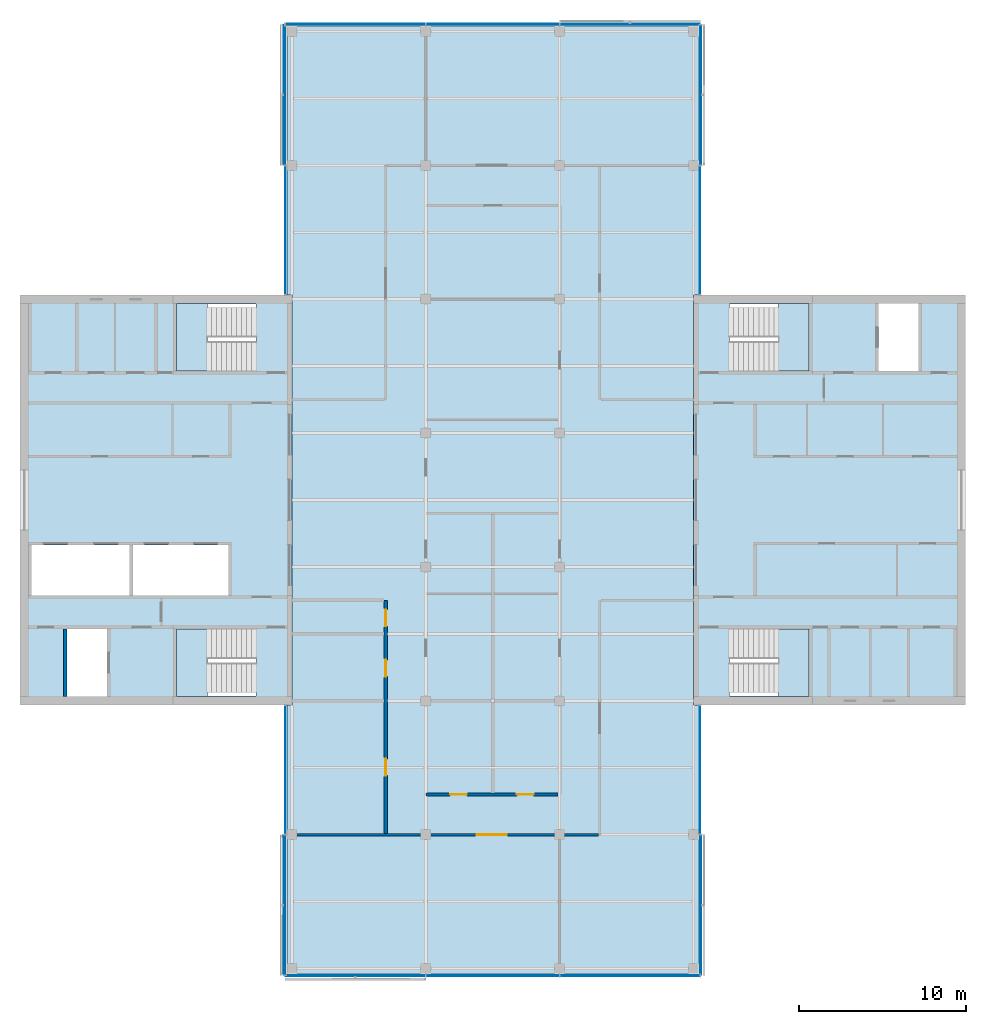
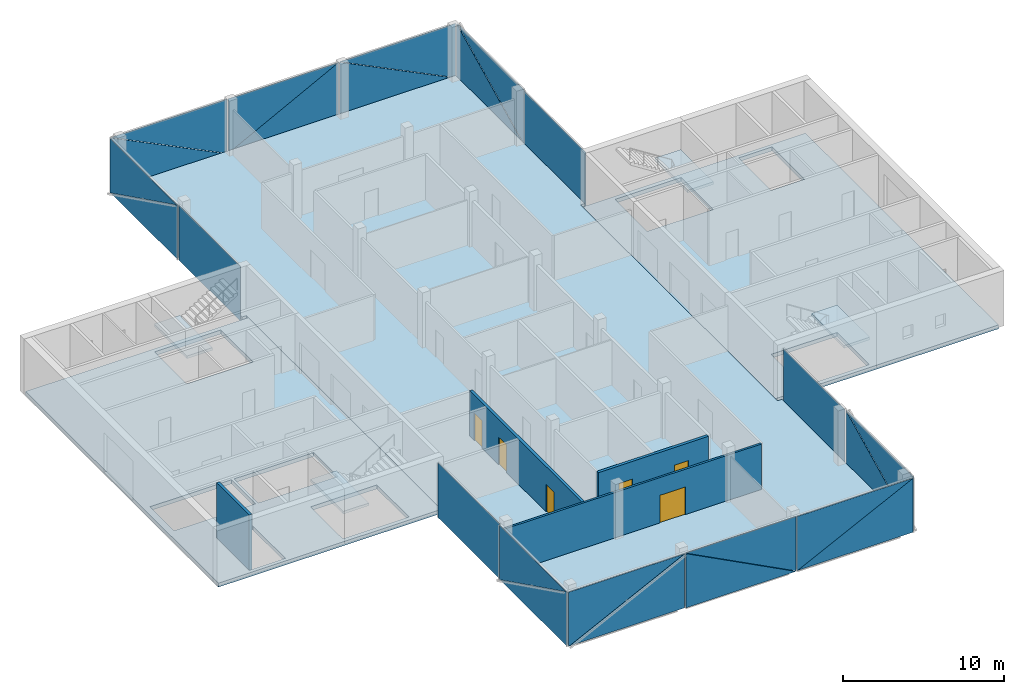
# One storey, part 8 of 15: 24 plates, 7 slabs, 6 doors, 4 walls, 6 openings, 14 elements without a shape of their own.
"""IFC4 building model written with IfcOpenShell, lengths in metres."""

from ifc_helpers import new_model, si_unit, direction, frame, frame_2d, origin, place, context, subcontext, project, spatial, polyline, rectangle, outline, extrude, material, layer, layer_set, type_object, element, fill, aggregate, save


model = new_model("IFC4")

# Units and contexts
model_context = context("Model", 3, precision=1e-05, world=origin(), true_north=direction((0.0, 1.0)))
body_context = subcontext(model_context, "Body", "Model", "MODEL_VIEW")
ifc_project = project(units=[si_unit("LENGTHUNIT", "METRE"), si_unit("AREAUNIT", "SQUARE_METRE"), si_unit("VOLUMEUNIT", "CUBIC_METRE"), si_unit("PLANEANGLEUNIT", "RADIAN"), si_unit("MASSUNIT", "GRAM", prefix="KILO")], contexts=[model_context])

# Site, building, storey
site_placement = place(None, origin())
site = spatial("IfcSite", under=ifc_project, at=site_placement, CompositionType="ELEMENT")
building_placement = place(site_placement, origin())
building = spatial("IfcBuilding", under=site, at=building_placement, Name="Crosswind Convention Tower", CompositionType="ELEMENT")
storey_placement = place(building_placement, frame((0.0, 0.0, 315.5)))
storey = spatial("IfcBuildingStorey", under=building, at=storey_placement, Name="L68", CompositionType="ELEMENT", Elevation=315.5)

# Slabs
ifc_material_1 = material(Name="Concrete C40/50", Category="concrete")
ifc_layer_1 = layer(ifc_material_1, 0.300048828125)
ifc_layer_set_1 = layer_set([ifc_layer_1], Name="Concrete C40/50")
slab_type_1 = type_object("IfcSlabType", Name="Composite floor slab 300", PredefinedType="FLOOR", material=ifc_layer_set_1)
slab_1_placement = place(storey_placement, frame((0.0, 0.0, -0.300048828125)))
element("IfcSlab", 1, at=slab_1_placement, inside=storey, type_object=slab_type_1, Name="Floor slab L68", PredefinedType="FLOOR", context=body_context, shape_type="SweptSolid", body=[
    extrude(outline(polyline([(137.300048828125, 71.699951171875), (137.0, 71.699951171875), (113.0, 71.699951171875), (112.699951171875, 71.699951171875), (112.699951171875, 72.0), (112.699951171875, 87.75), (113.0, 87.75), (113.0, 112.25), (112.699951171875, 112.25), (112.699951171875, 128.0), (112.699951171875, 128.300048828125), (113.0, 128.300048828125), (137.0, 128.300048828125), (137.300048828125, 128.300048828125), (137.300048828125, 128.0), (137.300048828125, 112.25), (137.0, 112.25), (137.0, 87.75), (137.300048828125, 87.75), (137.300048828125, 72.0), (137.300048828125, 71.699951171875)])), origin(), (0.0, 0.0, 1.0), 0.300048828125),
])
ifc_layer_2 = layer(ifc_material_1, 0.300048828125)
ifc_layer_set_2 = layer_set([ifc_layer_2], Name="Concrete C40/50")
slab_type_2 = type_object("IfcSlabType", Name="Concrete core floor slab 300", PredefinedType="FLOOR", material=ifc_layer_set_2)
slab_2_placement = place(storey_placement, frame((0.0, 0.0, -0.300048828125)))
element("IfcSlab", 2, at=slab_2_placement, inside=storey, type_object=slab_type_2, Name="Core floor slab E L68", PredefinedType="FLOOR", context=body_context, shape_type="SweptSolid", body=[
    extrude(outline(polyline([(137.0, 88.0), (153.0, 88.0), (153.0, 112.0), (137.0, 112.0), (137.0, 88.0)]), holes=[polyline([(150.449951171875, 107.699951171875), (150.449951171875, 111.75), (148.050048828125, 111.75), (148.050048828125, 107.699951171875), (150.449951171875, 107.699951171875)]), polyline([(143.89990234375, 107.699951171875), (143.89990234375, 111.699951171875), (139.14990234375, 111.699951171875), (139.14990234375, 107.699951171875), (143.89990234375, 107.699951171875)]), polyline([(143.89990234375, 88.300048828125), (143.89990234375, 92.300048828125), (139.14990234375, 92.300048828125), (139.14990234375, 88.300048828125), (143.89990234375, 88.300048828125)])]), origin(), (0.0, 0.0, 1.0), 0.300048828125),
])
slab_3_placement = place(storey_placement, frame((0.0, 0.0, -0.300048828125)))
element("IfcSlab", 3, at=slab_3_placement, inside=storey, type_object=slab_type_2, Name="Core floor slab W L68", PredefinedType="FLOOR", context=body_context, shape_type="SweptSolid", body=[
    extrude(outline(polyline([(97.0, 88.0), (113.0, 88.0), (113.0, 112.0), (97.0, 112.0), (97.0, 88.0)]), holes=[polyline([(109.199951171875, 94.300048828125), (109.199951171875, 97.300048828125), (103.5, 97.300048828125), (103.5, 94.300048828125), (109.199951171875, 94.300048828125)]), polyline([(103.300048828125, 94.300048828125), (103.300048828125, 97.300048828125), (97.449951171875, 97.300048828125), (97.449951171875, 94.300048828125), (103.300048828125, 94.300048828125)]), polyline([(101.949951171875, 88.25), (101.949951171875, 92.300048828125), (99.550048828125, 92.300048828125), (99.550048828125, 88.25), (101.949951171875, 88.25)]), polyline([(110.85009765625, 88.300048828125), (110.85009765625, 92.300048828125), (106.10009765625, 92.300048828125), (106.10009765625, 88.300048828125), (110.85009765625, 88.300048828125)]), polyline([(110.85009765625, 107.699951171875), (110.85009765625, 111.699951171875), (106.10009765625, 111.699951171875), (106.10009765625, 107.699951171875), (110.85009765625, 107.699951171875)])]), origin(), (0.0, 0.0, 1.0), 0.300048828125),
])

# Stair, slab
stair_type = type_object("IfcStairType", Name="Exit stair 1800 wide, 2 flights of 11 risers", PredefinedType="HALF_TURN_STAIR", material=ifc_material_1)
stair_1_placement = place(storey_placement, origin())
stair_1 = element("IfcStair", 4, at=stair_1_placement, inside=storey, type_object=stair_type, Name="Exit stair ST1 L68", ObjectType="ST5", PredefinedType="HALF_TURN_STAIR")
ifc_layer_3 = layer(ifc_material_1, 0.199951171875)
ifc_layer_set_3 = layer_set([ifc_layer_3], Name="Concrete C40/50")
slab_type_3 = type_object("IfcSlabType", Name="Stair landing 200", PredefinedType="LANDING", material=ifc_layer_set_3)
slab_4_placement = place(storey_placement, frame((0.0, 0.0, 1.89990234375)))
slab_4 = element("IfcSlab", 5, at=slab_4_placement, type_object=slab_type_3, Name="ST1 landing 1", PredefinedType="LANDING", context=body_context, shape_type="SweptSolid", body=[
    extrude(outline(polyline([(143.89990234375, 107.699951171875), (143.89990234375, 111.75), (142.050048828125, 111.75), (142.050048828125, 107.699951171875), (143.89990234375, 107.699951171875)])), origin(), (0.0, 0.0, 1.0), 0.2001953125),
])
aggregate(stair_1, [slab_4])

stair_2_placement = place(storey_placement, origin())
stair_2 = element("IfcStair", 6, at=stair_2_placement, inside=storey, type_object=stair_type, Name="Exit stair ST2 L68", ObjectType="ST5", PredefinedType="HALF_TURN_STAIR")
slab_5_placement = place(storey_placement, frame((0.0, 0.0, 1.89990234375)))
slab_5 = element("IfcSlab", 7, at=slab_5_placement, type_object=slab_type_3, Name="ST2 landing 1", PredefinedType="LANDING", context=body_context, shape_type="SweptSolid", body=[
    extrude(outline(polyline([(143.89990234375, 88.25), (143.89990234375, 92.300048828125), (142.050048828125, 92.300048828125), (142.050048828125, 88.25), (143.89990234375, 88.25)])), origin(), (0.0, 0.0, 1.0), 0.2001953125),
])
aggregate(stair_2, [slab_5])

stair_3_placement = place(storey_placement, origin())
stair_3 = element("IfcStair", 8, at=stair_3_placement, inside=storey, type_object=stair_type, Name="Exit stair ST3 L68", ObjectType="ST5", PredefinedType="HALF_TURN_STAIR")
slab_6_placement = place(storey_placement, frame((0.0, 0.0, 1.89990234375)))
slab_6 = element("IfcSlab", 9, at=slab_6_placement, type_object=slab_type_3, Name="ST3 landing 1", PredefinedType="LANDING", context=body_context, shape_type="SweptSolid", body=[
    extrude(outline(polyline([(107.949951171875, 88.25), (107.949951171875, 92.300048828125), (106.10009765625, 92.300048828125), (106.10009765625, 88.25), (107.949951171875, 88.25)])), origin(), (0.0, 0.0, 1.0), 0.2001953125),
])
aggregate(stair_3, [slab_6])

stair_4_placement = place(storey_placement, origin())
stair_4 = element("IfcStair", 10, at=stair_4_placement, inside=storey, type_object=stair_type, Name="Exit stair ST4 L68", ObjectType="ST5", PredefinedType="HALF_TURN_STAIR")
slab_7_placement = place(storey_placement, frame((0.0, 0.0, 1.89990234375)))
slab_7 = element("IfcSlab", 11, at=slab_7_placement, type_object=slab_type_3, Name="ST4 landing 1", PredefinedType="LANDING", context=body_context, shape_type="SweptSolid", body=[
    extrude(outline(polyline([(107.949951171875, 107.699951171875), (107.949951171875, 111.75), (106.10009765625, 111.75), (106.10009765625, 107.699951171875), (107.949951171875, 107.699951171875)])), origin(), (0.0, 0.0, 1.0), 0.2001953125),
])
aggregate(stair_4, [slab_7])

# Curtain wall, plate
ifc_material_2 = material(Name="Aluminium unitised curtain wall", Category="aluminium")
curtain_wall_type_1 = type_object("IfcCurtainWallType", Name="CORE END SLOT WALL 160", PredefinedType="USERDEFINED", material=ifc_material_2)
curtain_wall_1_placement = place(storey_placement, origin())
curtain_wall_1 = element("IfcCurtainWall", 12, at=curtain_wall_1_placement, inside=storey, type_object=curtain_wall_type_1, Name="CW6 L68 N-E.1-1 slot", ObjectType="UNITISED", PredefinedType="USERDEFINED")
ifc_material_3 = material(Name="Laminated insulating glass unit", Category="glass")
ifc_layer_4 = layer(ifc_material_3, 0.02587890625)
ifc_layer_set_4 = layer_set([ifc_layer_4], Name="TRIANGULAR GLASS PANEL 26")
plate_type_1 = type_object("IfcPlateType", Name="TRIANGULAR GLASS PANEL 26", PredefinedType="CURTAIN_PANEL", material=ifc_layer_set_4)
plate_1_placement = place(storey_placement, frame((137.40673828125, 112.300048828125, -0.300048828125), z_axis=(0.999999937709, 0.0, 0.000352961917), x_axis=(0.0, 1.0, 0.0)))
plate_1 = element("IfcPlate", 13, at=plate_1_placement, type_object=plate_type_1, Name="CW6 panel 1.1", PredefinedType="CURTAIN_PANEL", context=body_context, shape_type="SweptSolid", body=[
    extrude(outline(polyline([(0.0, 0.0), (7.64990234375, 0.0), (7.64990234375, 4.150146742892037), (0.0, 4.150146742892037), (0.0, 0.0)])), origin(), (0.0, 0.0, -1.0), 0.02587890625),
])
aggregate(curtain_wall_1, [plate_1])

curtain_wall_2_placement = place(storey_placement, origin())
curtain_wall_2 = element("IfcCurtainWall", 14, at=curtain_wall_2_placement, inside=storey, type_object=curtain_wall_type_1, Name="CW6 L68 N-W.1-2 slot", ObjectType="UNITISED", PredefinedType="USERDEFINED")
plate_2_placement = place(storey_placement, frame((112.59326171875, 119.949951171875, -0.300048828125), z_axis=(-0.999999937709, 0.0, 0.000352961917), x_axis=(0.0, -1.0, 0.0)))
plate_2 = element("IfcPlate", 15, at=plate_2_placement, type_object=plate_type_1, Name="CW6 panel 1.1", PredefinedType="CURTAIN_PANEL", context=body_context, shape_type="SweptSolid", body=[
    extrude(outline(polyline([(0.0, 0.0), (7.64990234375, 0.0), (7.64990234375, 4.150146742892037), (0.0, 4.150146742892037), (0.0, 0.0)])), origin(), (0.0, 0.0, -1.0), 0.02587890625),
])
aggregate(curtain_wall_2, [plate_2])

curtain_wall_3_placement = place(storey_placement, origin())
curtain_wall_3 = element("IfcCurtainWall", 16, at=curtain_wall_3_placement, inside=storey, type_object=curtain_wall_type_1, Name="CW6 L68 S-W.1-1 slot", ObjectType="UNITISED", PredefinedType="USERDEFINED")
plate_3_placement = place(storey_placement, frame((112.59326171875, 87.699951171875, -0.300048828125), z_axis=(-0.999999937709, 0.0, 0.000352961917), x_axis=(0.0, -1.0, 0.0)))
plate_3 = element("IfcPlate", 17, at=plate_3_placement, type_object=plate_type_1, Name="CW6 panel 1.1", PredefinedType="CURTAIN_PANEL", context=body_context, shape_type="SweptSolid", body=[
    extrude(outline(polyline([(0.0, 0.0), (7.64990234375, 0.0), (7.64990234375, 4.150146742892037), (0.0, 4.150146742892037), (0.0, 0.0)])), origin(), (0.0, 0.0, -1.0), 0.02587890625),
])
aggregate(curtain_wall_3, [plate_3])

curtain_wall_4_placement = place(storey_placement, origin())
curtain_wall_4 = element("IfcCurtainWall", 18, at=curtain_wall_4_placement, inside=storey, type_object=curtain_wall_type_1, Name="CW6 L68 S-E.1-2 slot", ObjectType="UNITISED", PredefinedType="USERDEFINED")
plate_4_placement = place(storey_placement, frame((137.40673828125, 80.050048828125, -0.300048828125), z_axis=(0.999999937709, 0.0, 0.000352961917), x_axis=(0.0, 1.0, 0.0)))
plate_4 = element("IfcPlate", 19, at=plate_4_placement, type_object=plate_type_1, Name="CW6 panel 1.1", PredefinedType="CURTAIN_PANEL", context=body_context, shape_type="SweptSolid", body=[
    extrude(outline(polyline([(0.0, 0.0), (7.64990234375, 0.0), (7.64990234375, 4.150146742892037), (0.0, 4.150146742892037), (0.0, 0.0)])), origin(), (0.0, 0.0, -1.0), 0.02587890625),
])
aggregate(curtain_wall_4, [plate_4])

# Curtain wall, plates
curtain_wall_type_2 = type_object("IfcCurtainWallType", Name="OFFICE UNITISED WALL 220", PredefinedType="USERDEFINED", material=ifc_material_2)
curtain_wall_5_placement = place(storey_placement, origin())
curtain_wall_5 = element("IfcCurtainWall", 20, at=curtain_wall_5_placement, inside=storey, type_object=curtain_wall_type_2, Name="CW3 L68 N-E 1", ObjectType="UNITISED", PredefinedType="USERDEFINED")
ifc_layer_5 = layer(ifc_material_3, 0.031982421875)
ifc_layer_set_5 = layer_set([ifc_layer_5], Name="TRIANGULAR GLASS PANEL 32")
plate_type_2 = type_object("IfcPlateType", Name="TRIANGULAR GLASS PANEL 32", PredefinedType="CURTAIN_PANEL", material=ifc_layer_set_5)
plate_5_placement = place(storey_placement, frame((137.44287109375, 128.375, -0.300048828125), z_axis=(0.999999913924, 0.0, 0.000414913129), x_axis=(-0.000414913129, 0.0, 0.999999913924)))
plate_5 = element("IfcPlate", 21, at=plate_5_placement, type_object=plate_type_2, Name="CW3 panel 1.1", PredefinedType="CURTAIN_PANEL", context=body_context, shape_type="SweptSolid", body=[
    extrude(outline(polyline([(0.0, 0.0), (4.118896838915043, 0.0), (0.0, 8.317382812500002), (0.0, 0.0)])), origin(), (0.0, 0.0, -1.0), 0.031982421875),
])
plate_6_placement = place(storey_placement, frame((137.47509765625, 120.034912109375, 3.830078125), z_axis=(0.999999913924, 0.0, 0.000414913129), x_axis=(0.000414913129, 0.0, -0.999999913924)))
plate_6 = element("IfcPlate", 22, at=plate_6_placement, type_object=plate_type_2, Name="CW3 panel 1.2", PredefinedType="CURTAIN_PANEL", context=body_context, shape_type="SweptSolid", body=[
    extrude(outline(polyline([(0.0, 0.0), (4.118896838915043, 0.0), (0.0, 8.317626953124998), (0.0, 0.0)])), origin(), (0.0, 0.0, -1.0), 0.031982421875),
])
aggregate(curtain_wall_5, [plate_5, plate_6])

curtain_wall_6_placement = place(storey_placement, origin())
curtain_wall_6 = element("IfcCurtainWall", 23, at=curtain_wall_6_placement, inside=storey, type_object=curtain_wall_type_2, Name="CW3 L68 N-TIP 1", ObjectType="UNITISED", PredefinedType="USERDEFINED")
plate_7_placement = place(storey_placement, frame((129.034912109375, 128.44287109375, -0.300048828125), z_axis=(0.0, 0.999999913924, 0.000414913129), x_axis=(0.0, -0.000414913129, 0.999999913924)))
plate_7 = element("IfcPlate", 24, at=plate_7_placement, type_object=plate_type_2, Name="CW3 panel 1.1", PredefinedType="CURTAIN_PANEL", context=body_context, shape_type="SweptSolid", body=[
    extrude(outline(polyline([(0.0, 0.0), (4.118896838915043, 0.0), (0.0, 8.317626953124998), (0.0, 0.0)])), origin(), (0.0, 0.0, -1.0), 0.031982421875),
])
plate_8_placement = place(storey_placement, frame((137.375, 128.47509765625, 3.830078125), z_axis=(0.0, 0.999999913924, 0.000414913129), x_axis=(0.0, 0.000414913129, -0.999999913924)))
plate_8 = element("IfcPlate", 25, at=plate_8_placement, type_object=plate_type_2, Name="CW3 panel 1.2", PredefinedType="CURTAIN_PANEL", context=body_context, shape_type="SweptSolid", body=[
    extrude(outline(polyline([(0.0, 0.0), (4.118896838915043, 0.0), (0.0, 8.317382812500002), (0.0, 0.0)])), origin(), (0.0, 0.0, -1.0), 0.031982421875),
])
plate_9_placement = place(storey_placement, frame((121.034912109375, 128.441162109375, 3.830078125), z_axis=(0.0, 0.999999913924, 0.000414913129), x_axis=(1.0, 0.0, 0.0)))
plate_9 = element("IfcPlate", 26, at=plate_9_placement, type_object=plate_type_2, Name="CW3 panel 2.1", PredefinedType="CURTAIN_PANEL", context=body_context, shape_type="SweptSolid", body=[
    extrude(outline(polyline([(0.0, 0.0), (7.908447265625, 0.0), (0.0, 4.118896838915043), (0.0, 0.0)])), origin(), (0.0, 0.0, -1.0), 0.031982421875),
])
plate_10_placement = place(storey_placement, frame((128.965087890625, 128.476806640625, -0.300048828125), z_axis=(0.0, 0.999999913913, 0.000414937724), x_axis=(-1.0, 0.0, 0.0)))
plate_10 = element("IfcPlate", 27, at=plate_10_placement, type_object=plate_type_2, Name="CW3 panel 2.2", PredefinedType="CURTAIN_PANEL", context=body_context, shape_type="SweptSolid", body=[
    extrude(outline(polyline([(0.0, 0.0), (7.908447265625, 0.0), (0.0, 4.118652698311059), (0.0, 0.0)])), origin(), (0.0, 0.0, -1.0), 0.031982421875),
])
plate_11_placement = place(storey_placement, frame((112.625, 128.44287109375, -0.300048828125), z_axis=(0.0, 0.999999913924, 0.000414913129), x_axis=(0.0, -0.000414913129, 0.999999913924)))
plate_11 = element("IfcPlate", 28, at=plate_11_placement, type_object=plate_type_2, Name="CW3 panel 3.1", PredefinedType="CURTAIN_PANEL", context=body_context, shape_type="SweptSolid", body=[
    extrude(outline(polyline([(0.0, 0.0), (4.118896838915043, 0.0), (0.0, 8.317382812500002), (0.0, 0.0)])), origin(), (0.0, 0.0, -1.0), 0.031982421875),
])
plate_12_placement = place(storey_placement, frame((120.965087890625, 128.47509765625, 3.830078125), z_axis=(0.0, 0.999999913924, 0.000414913129), x_axis=(0.0, 0.000414913129, -0.999999913924)))
plate_12 = element("IfcPlate", 29, at=plate_12_placement, type_object=plate_type_2, Name="CW3 panel 3.2", PredefinedType="CURTAIN_PANEL", context=body_context, shape_type="SweptSolid", body=[
    extrude(outline(polyline([(0.0, 0.0), (4.118896838915043, 0.0), (0.0, 8.317626953124998), (0.0, 0.0)])), origin(), (0.0, 0.0, -1.0), 0.031982421875),
])
aggregate(curtain_wall_6, [plate_7, plate_8, plate_9, plate_10, plate_11, plate_12])

curtain_wall_7_placement = place(storey_placement, origin())
curtain_wall_7 = element("IfcCurtainWall", 30, at=curtain_wall_7_placement, inside=storey, type_object=curtain_wall_type_2, Name="CW3 L68 N-W 1", ObjectType="UNITISED", PredefinedType="USERDEFINED")
plate_13_placement = place(storey_placement, frame((112.55712890625, 120.034912109375, -0.300048828125), z_axis=(-0.999999913924, 0.0, 0.000414913129), x_axis=(0.000414913129, 0.0, 0.999999913924)))
plate_13 = element("IfcPlate", 31, at=plate_13_placement, type_object=plate_type_2, Name="CW3 panel 1.1", PredefinedType="CURTAIN_PANEL", context=body_context, shape_type="SweptSolid", body=[
    extrude(outline(polyline([(0.0, 0.0), (4.118896838915043, 0.0), (0.0, 8.317626953124998), (0.0, 0.0)])), origin(), (0.0, 0.0, -1.0), 0.031982421875),
])
plate_14_placement = place(storey_placement, frame((112.52490234375, 128.375, 3.830078125), z_axis=(-0.999999913924, 0.0, 0.000414913129), x_axis=(-0.000414913129, 0.0, -0.999999913924)))
plate_14 = element("IfcPlate", 32, at=plate_14_placement, type_object=plate_type_2, Name="CW3 panel 1.2", PredefinedType="CURTAIN_PANEL", context=body_context, shape_type="SweptSolid", body=[
    extrude(outline(polyline([(0.0, 0.0), (4.118896838915043, 0.0), (0.0, 8.317382812500002), (0.0, 0.0)])), origin(), (0.0, 0.0, -1.0), 0.031982421875),
])
aggregate(curtain_wall_7, [plate_13, plate_14])

curtain_wall_8_placement = place(storey_placement, origin())
curtain_wall_8 = element("IfcCurtainWall", 33, at=curtain_wall_8_placement, inside=storey, type_object=curtain_wall_type_2, Name="CW3 L68 S-W 1", ObjectType="UNITISED", PredefinedType="USERDEFINED")
plate_15_placement = place(storey_placement, frame((112.55712890625, 71.625, -0.300048828125), z_axis=(-0.999999913924, 0.0, 0.000414913129), x_axis=(0.000414913129, 0.0, 0.999999913924)))
plate_15 = element("IfcPlate", 34, at=plate_15_placement, type_object=plate_type_2, Name="CW3 panel 1.1", PredefinedType="CURTAIN_PANEL", context=body_context, shape_type="SweptSolid", body=[
    extrude(outline(polyline([(0.0, 0.0), (4.118896838915043, 0.0), (0.0, 8.317382812500002), (0.0, 0.0)])), origin(), (0.0, 0.0, -1.0), 0.031982421875),
])
plate_16_placement = place(storey_placement, frame((112.52490234375, 79.965087890625, 3.830078125), z_axis=(-0.999999913924, 0.0, 0.000414913129), x_axis=(-0.000414913129, 0.0, -0.999999913924)))
plate_16 = element("IfcPlate", 35, at=plate_16_placement, type_object=plate_type_2, Name="CW3 panel 1.2", PredefinedType="CURTAIN_PANEL", context=body_context, shape_type="SweptSolid", body=[
    extrude(outline(polyline([(0.0, 0.0), (4.118896838915043, 0.0), (0.0, 8.317626953124998), (0.0, 0.0)])), origin(), (0.0, 0.0, -1.0), 0.031982421875),
])
aggregate(curtain_wall_8, [plate_15, plate_16])

curtain_wall_9_placement = place(storey_placement, origin())
curtain_wall_9 = element("IfcCurtainWall", 36, at=curtain_wall_9_placement, inside=storey, type_object=curtain_wall_type_2, Name="CW3 L68 S-TIP 1", ObjectType="UNITISED", PredefinedType="USERDEFINED")
plate_17_placement = place(storey_placement, frame((120.965087890625, 71.55712890625, -0.300048828125), z_axis=(0.0, -0.999999913924, 0.000414913129), x_axis=(0.0, 0.000414913129, 0.999999913924)))
plate_17 = element("IfcPlate", 37, at=plate_17_placement, type_object=plate_type_2, Name="CW3 panel 1.1", PredefinedType="CURTAIN_PANEL", context=body_context, shape_type="SweptSolid", body=[
    extrude(outline(polyline([(0.0, 0.0), (4.118896838915043, 0.0), (0.0, 8.317626953124998), (0.0, 0.0)])), origin(), (0.0, 0.0, -1.0), 0.031982421875),
])
plate_18_placement = place(storey_placement, frame((112.625, 71.52490234375, 3.830078125), z_axis=(0.0, -0.999999913924, 0.000414913129), x_axis=(0.0, -0.000414913129, -0.999999913924)))
plate_18 = element("IfcPlate", 38, at=plate_18_placement, type_object=plate_type_2, Name="CW3 panel 1.2", PredefinedType="CURTAIN_PANEL", context=body_context, shape_type="SweptSolid", body=[
    extrude(outline(polyline([(0.0, 0.0), (4.118896838915043, 0.0), (0.0, 8.317382812500002), (0.0, 0.0)])), origin(), (0.0, 0.0, -1.0), 0.031982421875),
])
plate_19_placement = place(storey_placement, frame((128.965087890625, 71.558837890625, 3.830078125), z_axis=(0.0, -0.999999913924, 0.000414913129), x_axis=(-1.0, 0.0, 0.0)))
plate_19 = element("IfcPlate", 39, at=plate_19_placement, type_object=plate_type_2, Name="CW3 panel 2.1", PredefinedType="CURTAIN_PANEL", context=body_context, shape_type="SweptSolid", body=[
    extrude(outline(polyline([(0.0, 0.0), (7.908447265625, 0.0), (0.0, 4.118896838915043), (0.0, 0.0)])), origin(), (0.0, 0.0, -1.0), 0.031982421875),
])
plate_20_placement = place(storey_placement, frame((121.034912109375, 71.523193359375, -0.300048828125), z_axis=(0.0, -0.999999913913, 0.000414937724), x_axis=(1.0, 0.0, 0.0)))
plate_20 = element("IfcPlate", 40, at=plate_20_placement, type_object=plate_type_2, Name="CW3 panel 2.2", PredefinedType="CURTAIN_PANEL", context=body_context, shape_type="SweptSolid", body=[
    extrude(outline(polyline([(0.0, 0.0), (7.908447265625, 0.0), (0.0, 4.118652698311059), (0.0, 0.0)])), origin(), (0.0, 0.0, -1.0), 0.031982421875),
])
plate_21_placement = place(storey_placement, frame((137.375, 71.55712890625, -0.300048828125), z_axis=(0.0, -0.999999913924, 0.000414913129), x_axis=(0.0, 0.000414913129, 0.999999913924)))
plate_21 = element("IfcPlate", 41, at=plate_21_placement, type_object=plate_type_2, Name="CW3 panel 3.1", PredefinedType="CURTAIN_PANEL", context=body_context, shape_type="SweptSolid", body=[
    extrude(outline(polyline([(0.0, 0.0), (4.118896838915043, 0.0), (0.0, 8.317382812500002), (0.0, 0.0)])), origin(), (0.0, 0.0, -1.0), 0.031982421875),
])
plate_22_placement = place(storey_placement, frame((129.034912109375, 71.52490234375, 3.830078125), z_axis=(0.0, -0.999999913924, 0.000414913129), x_axis=(0.0, -0.000414913129, -0.999999913924)))
plate_22 = element("IfcPlate", 42, at=plate_22_placement, type_object=plate_type_2, Name="CW3 panel 3.2", PredefinedType="CURTAIN_PANEL", context=body_context, shape_type="SweptSolid", body=[
    extrude(outline(polyline([(0.0, 0.0), (4.118896838915043, 0.0), (0.0, 8.317626953124998), (0.0, 0.0)])), origin(), (0.0, 0.0, -1.0), 0.031982421875),
])
aggregate(curtain_wall_9, [plate_17, plate_18, plate_19, plate_20, plate_21, plate_22])

curtain_wall_10_placement = place(storey_placement, origin())
curtain_wall_10 = element("IfcCurtainWall", 43, at=curtain_wall_10_placement, inside=storey, type_object=curtain_wall_type_2, Name="CW3 L68 S-E 1", ObjectType="UNITISED", PredefinedType="USERDEFINED")
plate_23_placement = place(storey_placement, frame((137.44287109375, 79.965087890625, -0.300048828125), z_axis=(0.999999913924, 0.0, 0.000414913129), x_axis=(-0.000414913129, 0.0, 0.999999913924)))
plate_23 = element("IfcPlate", 44, at=plate_23_placement, type_object=plate_type_2, Name="CW3 panel 1.1", PredefinedType="CURTAIN_PANEL", context=body_context, shape_type="SweptSolid", body=[
    extrude(outline(polyline([(0.0, 0.0), (4.118896838915043, 0.0), (0.0, 8.317626953124998), (0.0, 0.0)])), origin(), (0.0, 0.0, -1.0), 0.031982421875),
])
plate_24_placement = place(storey_placement, frame((137.47509765625, 71.625, 3.830078125), z_axis=(0.999999913924, 0.0, 0.000414913129), x_axis=(0.000414913129, 0.0, -0.999999913924)))
plate_24 = element("IfcPlate", 45, at=plate_24_placement, type_object=plate_type_2, Name="CW3 panel 1.2", PredefinedType="CURTAIN_PANEL", context=body_context, shape_type="SweptSolid", body=[
    extrude(outline(polyline([(0.0, 0.0), (4.118896838915043, 0.0), (0.0, 8.317382812500002), (0.0, 0.0)])), origin(), (0.0, 0.0, -1.0), 0.031982421875),
])
aggregate(curtain_wall_10, [plate_23, plate_24])

# Wall, openings, doors
ifc_material_4 = material(Name="Concrete blockwork", Category="masonry")
ifc_layer_6 = layer(ifc_material_4, 0.199951171875)
ifc_layer_set_6 = layer_set([ifc_layer_6], Name="COMPARTMENT WALL 200 BLOCKWORK")
wall_type_1 = type_object("IfcWallType", Name="COMPARTMENT WALL 200 BLOCKWORK", PredefinedType="SOLIDWALL", material=ifc_layer_set_6)
wall_1_placement = place(storey_placement, frame((118.60009765625, 80.074951171875, 0.0), z_axis=(0.0, 0.0, 1.0), x_axis=(0.0, 1.0, 0.0)))
wall_1 = element("IfcWall", 46, at=wall_1_placement, inside=storey, type_object=wall_type_1, Name="Compartment wall WT42", PredefinedType="SOLIDWALL", context=body_context, shape_type="SweptSolid", body=[
    extrude(rectangle(XDim=13.925048828125, YDim=0.199951171875, at=frame_2d((6.96240234375, 0.0))), origin(), (0.0, 0.0, 1.0), 3.44287109375),
])
opening_1_placement = place(wall_1_placement, frame((12.375, 0.0, 0.0)))
opening_1 = element("IfcOpeningElement", 47, at=opening_1_placement, cuts=wall_1, Name="Opening L68-53", PredefinedType="OPENING", context=body_context, shape_type="SweptSolid", body=[
    extrude(rectangle(XDim=1.0, YDim=2.10009765625, at=frame_2d((0.5, 1.050048828125))), frame((0.0, 0.10986328125, 0.0), z_axis=(0.0, -1.0, 0.0), x_axis=(1.0, 0.0, 0.0)), (0.0, 0.0, 1.0), 0.219970703125),
])
opening_2_placement = place(wall_1_placement, frame((9.375, 0.0, 0.0)))
opening_2 = element("IfcOpeningElement", 48, at=opening_2_placement, cuts=wall_1, Name="Opening L68-54", PredefinedType="OPENING", context=body_context, shape_type="SweptSolid", body=[
    extrude(rectangle(XDim=1.0, YDim=2.10009765625, at=frame_2d((0.5, 1.050048828125))), frame((0.0, 0.10986328125, 0.0), z_axis=(0.0, -1.0, 0.0), x_axis=(1.0, 0.0, 0.0)), (0.0, 0.0, 1.0), 0.219970703125),
])
opening_3_placement = place(wall_1_placement, frame((3.449951171875, 0.0, 0.0)))
opening_3 = element("IfcOpeningElement", 49, at=opening_3_placement, cuts=wall_1, Name="Opening L68-55", PredefinedType="OPENING", context=body_context, shape_type="SweptSolid", body=[
    extrude(rectangle(XDim=1.0, YDim=2.10009765625, at=frame_2d((0.5, 1.050048828125))), frame((0.0, 0.10986328125, 0.0), z_axis=(0.0, -1.0, 0.0), x_axis=(1.0, 0.0, 0.0)), (0.0, 0.0, 1.0), 0.219970703125),
])
ifc_material_5 = material(Name="Steel fire door", Category="steel")
door_type_1 = type_object("IfcDoorType", Name="PLANT ROOM DOOR 1000X2100 FD60", OperationType="NOTDEFINED", PredefinedType="DOOR", material=ifc_material_5)
door_1_placement = place(opening_1_placement, origin())
door_1 = element("IfcDoor", 50, at=door_1_placement, inside=storey, type_object=door_type_1, Name="Door L68-53", ObjectType="D43", OperationType="SINGLE_SWING_LEFT", OverallHeight=2.10009765625, OverallWidth=1.0, PredefinedType="DOOR", context=body_context, shape_type="SweptSolid", body=[
    extrude(rectangle(XDim=1.0, YDim=2.10009765625, at=frame_2d((0.5, 1.050048828125))), frame((0.0, 0.02490234375, 0.0), z_axis=(0.0, -1.0, 0.0), x_axis=(1.0, 0.0, 0.0)), (0.0, 0.0, 1.0), 0.050048828125),
])
fill(opening_1, door_1)
door_2_placement = place(opening_2_placement, origin())
door_2 = element("IfcDoor", 51, at=door_2_placement, inside=storey, type_object=door_type_1, Name="Door L68-54", ObjectType="D43", OperationType="SINGLE_SWING_LEFT", OverallHeight=2.10009765625, OverallWidth=1.0, PredefinedType="DOOR", context=body_context, shape_type="SweptSolid", body=[
    extrude(rectangle(XDim=1.0, YDim=2.10009765625, at=frame_2d((0.5, 1.050048828125))), frame((0.0, 0.02490234375, 0.0), z_axis=(0.0, -1.0, 0.0), x_axis=(1.0, 0.0, 0.0)), (0.0, 0.0, 1.0), 0.050048828125),
])
fill(opening_2, door_2)
ifc_material_6 = material(Name="Timber fire door", Category="wood")
door_type_2 = type_object("IfcDoorType", Name="TENANCY ENTRANCE DOOR 1000X2100 FD30S", OperationType="NOTDEFINED", PredefinedType="DOOR", material=ifc_material_6)
door_3_placement = place(opening_3_placement, origin())
door_3 = element("IfcDoor", 52, at=door_3_placement, inside=storey, type_object=door_type_2, Name="Door L68-55", ObjectType="D41", OperationType="SINGLE_SWING_RIGHT", OverallHeight=2.10009765625, OverallWidth=1.0, PredefinedType="DOOR", context=body_context, shape_type="SweptSolid", body=[
    extrude(rectangle(XDim=1.0, YDim=2.10009765625, at=frame_2d((0.5, 1.050048828125))), frame((0.0, 0.02490234375, 0.0), z_axis=(0.0, -1.0, 0.0), x_axis=(1.0, 0.0, 0.0)), (0.0, 0.0, 1.0), 0.050048828125),
])
fill(opening_3, door_3)

wall_2_placement = place(storey_placement, frame((121.0, 82.39990234375, 0.0), z_axis=(0.0, 0.0, 1.0), x_axis=(1.0, 0.0, 0.0)))
wall_2 = element("IfcWall", 53, at=wall_2_placement, inside=storey, type_object=wall_type_1, Name="Compartment wall WT42", PredefinedType="SOLIDWALL", context=body_context, shape_type="SweptSolid", body=[
    extrude(rectangle(XDim=7.89990234375, YDim=0.199951171875, at=frame_2d((3.949951171875, 0.0))), origin(), (0.0, 0.0, 1.0), 3.44287109375),
])
opening_4_placement = place(wall_2_placement, frame((1.449951171875, 0.0, 0.0)))
opening_4 = element("IfcOpeningElement", 54, at=opening_4_placement, cuts=wall_2, Name="Opening L68-58", PredefinedType="OPENING", context=body_context, shape_type="SweptSolid", body=[
    extrude(rectangle(XDim=1.0, YDim=2.10009765625, at=frame_2d((0.5, 1.050048828125))), frame((0.0, 0.10986328125, 0.0), z_axis=(0.0, -1.0, 0.0), x_axis=(1.0, 0.0, 0.0)), (0.0, 0.0, 1.0), 0.219970703125),
])
opening_5_placement = place(wall_2_placement, frame((5.449951171875, 0.0, 0.0)))
opening_5 = element("IfcOpeningElement", 55, at=opening_5_placement, cuts=wall_2, Name="Opening L68-59", PredefinedType="OPENING", context=body_context, shape_type="SweptSolid", body=[
    extrude(rectangle(XDim=1.0, YDim=2.10009765625, at=frame_2d((0.5, 1.050048828125))), frame((0.0, 0.10986328125, 0.0), z_axis=(0.0, -1.0, 0.0), x_axis=(1.0, 0.0, 0.0)), (0.0, 0.0, 1.0), 0.219970703125),
])
door_4_placement = place(opening_5_placement, origin())
door_4 = element("IfcDoor", 56, at=door_4_placement, inside=storey, type_object=door_type_1, Name="Door L68-59", ObjectType="D43", OperationType="SINGLE_SWING_LEFT", OverallHeight=2.10009765625, OverallWidth=1.0, PredefinedType="DOOR", context=body_context, shape_type="SweptSolid", body=[
    extrude(rectangle(XDim=1.0, YDim=2.10009765625, at=frame_2d((0.5, 1.050048828125))), frame((0.0, 0.02490234375, 0.0), z_axis=(0.0, -1.0, 0.0), x_axis=(1.0, 0.0, 0.0)), (0.0, 0.0, 1.0), 0.050048828125),
])
fill(opening_5, door_4)
door_5_placement = place(opening_4_placement, origin())
door_5 = element("IfcDoor", 57, at=door_5_placement, inside=storey, type_object=door_type_2, Name="Door L68-58", ObjectType="D41", OperationType="SINGLE_SWING_LEFT", OverallHeight=2.10009765625, OverallWidth=1.0, PredefinedType="DOOR", context=body_context, shape_type="SweptSolid", body=[
    extrude(rectangle(XDim=1.0, YDim=2.10009765625, at=frame_2d((0.5, 1.050048828125))), frame((0.0, 0.02490234375, 0.0), z_axis=(0.0, -1.0, 0.0), x_axis=(1.0, 0.0, 0.0)), (0.0, 0.0, 1.0), 0.050048828125),
])
fill(opening_4, door_5)

# Wall
ifc_material_7 = material(Name="Concrete C50/60", Category="concrete")
ifc_layer_7 = layer(ifc_material_7, 0.199951171875)
ifc_layer_set_7 = layer_set([ifc_layer_7], Name="Concrete C50/60")
wall_type_2 = type_object("IfcWallType", Name="Concrete shaft and stair wall 200", PredefinedType="SHEAR", material=ifc_layer_set_7)
wall_3_placement = place(storey_placement, frame((99.449951171875, 92.300048828125, 0.0), z_axis=(0.0, 0.0, 1.0), x_axis=(0.0, -1.0, 0.0)))
element("IfcWall", 58, at=wall_3_placement, inside=storey, type_object=wall_type_2, Name="Wall PFSE W L68", PredefinedType="SHEAR", context=body_context, shape_type="SweptSolid", body=[
    extrude(rectangle(XDim=4.050048828125, YDim=0.199951171875, at=frame_2d((2.02490234375, 0.0))), origin(), (0.0, 0.0, 1.0), 4.199951171875),
])

# Wall, opening, door
ifc_material_8 = material(Name="Fire-board partition with mineral wool", Category="gypsum")
ifc_layer_8 = layer(ifc_material_8, 0.14990234375)
ifc_layer_set_8 = layer_set([ifc_layer_8], Name="TENANCY WALL 150 TWO-HOUR BOARD")
wall_type_3 = type_object("IfcWallType", Name="TENANCY WALL 150 TWO-HOUR BOARD", PredefinedType="PARTITIONING", material=ifc_layer_set_8)
wall_4_placement = place(storey_placement, frame((112.780029296875, 80.0, 0.0), z_axis=(0.0, 0.0, 1.0), x_axis=(1.0, 0.0, 0.0)))
wall_4 = element("IfcWall", 59, at=wall_4_placement, inside=storey, type_object=wall_type_3, Name="Tenancy wall WT41", PredefinedType="PARTITIONING", context=body_context, shape_type="SweptSolid", body=[
    extrude(rectangle(XDim=18.544921875, YDim=0.14990234375, at=frame_2d((9.2724609375, 0.0))), origin(), (0.0, 0.0, 1.0), 3.44287109375),
])
opening_6_placement = place(wall_4_placement, frame((11.27001953125, 0.0, 0.0)))
opening_6 = element("IfcOpeningElement", 60, at=opening_6_placement, cuts=wall_4, Name="Opening L68-57", PredefinedType="OPENING", context=body_context, shape_type="SweptSolid", body=[
    extrude(rectangle(XDim=1.800048828125, YDim=2.10009765625, at=frame_2d((0.89990234375, 1.050048828125))), frame((0.0, 0.0849609375, 0.0), z_axis=(0.0, -1.0, 0.0), x_axis=(1.0, 0.0, 0.0)), (0.0, 0.0, 1.0), 0.169921875),
])
door_type_3 = type_object("IfcDoorType", Name="TENANCY ENTRANCE DOUBLE DOOR 1800X2100 FD30S", OperationType="DOUBLE_DOOR_SINGLE_SWING", PredefinedType="DOOR", material=ifc_material_6)
door_6_placement = place(opening_6_placement, frame((1.800048828125, 0.0, 0.0), z_axis=(0.0, 0.0, 1.0), x_axis=(-1.0, 0.0, 0.0)))
door_6 = element("IfcDoor", 61, at=door_6_placement, inside=storey, type_object=door_type_3, Name="Door L68-57", ObjectType="D42", OperationType="DOUBLE_DOOR_SINGLE_SWING", OverallHeight=2.10009765625, OverallWidth=1.800048828125, PredefinedType="DOOR", context=body_context, shape_type="SweptSolid", body=[
    extrude(rectangle(XDim=1.800048828125, YDim=2.10009765625, at=frame_2d((0.89990234375, 1.050048828125))), frame((0.0, 0.02490234375, 0.0), z_axis=(0.0, -1.0, 0.0), x_axis=(1.0, 0.0, 0.0)), (0.0, 0.0, 1.0), 0.050048828125),
])
fill(opening_6, door_6)

save(model, "model.ifc")
